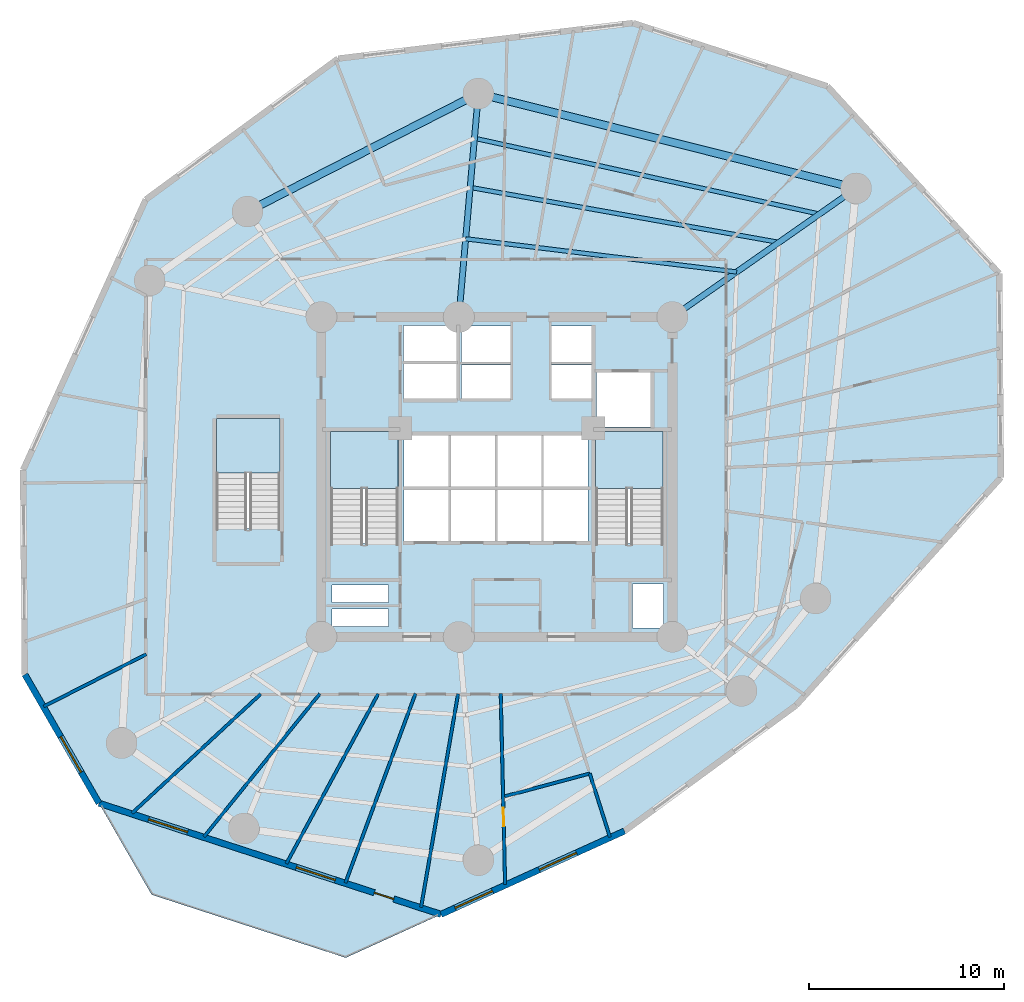
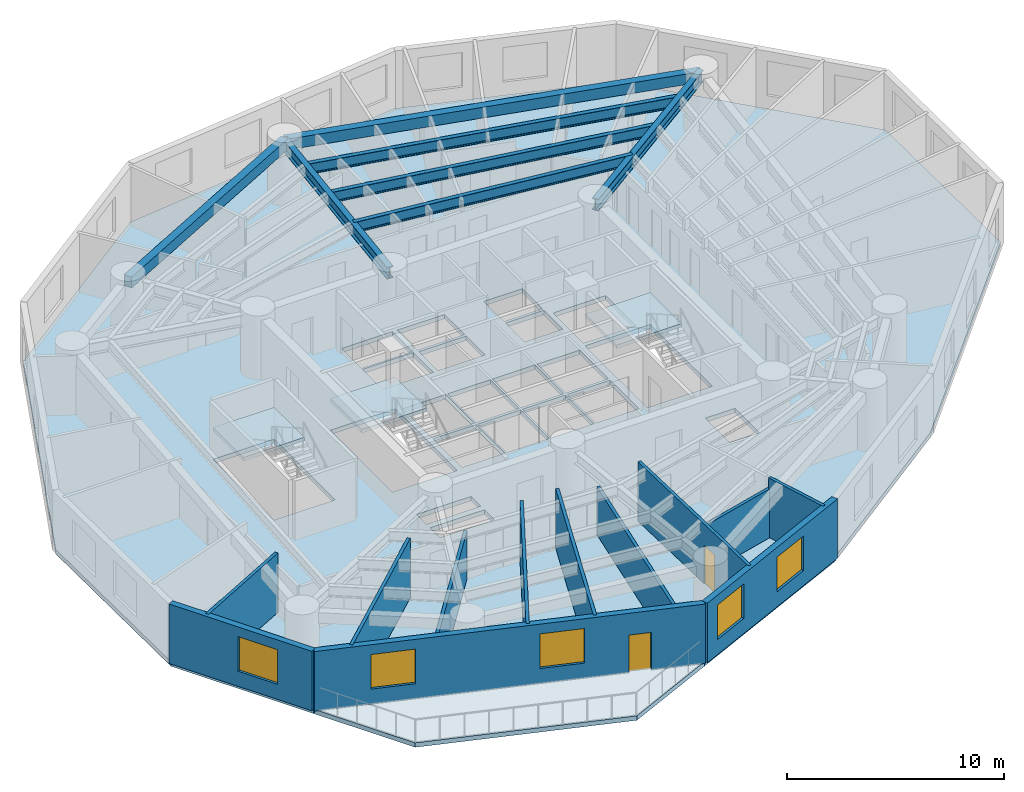
# One storey, part 2 of 9: 12 walls, 7 beams, 5 slabs, 5 windows, 2 doors, 7 openings, 3 elements without a shape of their own.
"""IFC4 building model written with IfcOpenShell, lengths in metres."""

from ifc_helpers import new_model, si_unit, direction, frame, frame_2d, origin, origin_with_axes, origin_2d, place, context, subcontext, project, spatial, polyline, rectangle, i_section, outline, extrude, source, transform, mapped, material, layer, layer_set, material_profile, profile_set, type_object, element, fill, aggregate, save


model = new_model("IFC4")

# Units and contexts
model_context = context("Model", 3, precision=1e-05, world=origin(), true_north=direction((0.0, 1.0)))
body_context = subcontext(model_context, "Body", "Model", "MODEL_VIEW")
ifc_project = project(units=[si_unit("LENGTHUNIT", "METRE"), si_unit("AREAUNIT", "SQUARE_METRE"), si_unit("VOLUMEUNIT", "CUBIC_METRE"), si_unit("PLANEANGLEUNIT", "RADIAN"), si_unit("MASSUNIT", "GRAM", prefix="KILO")], contexts=[model_context])

# Site, building, storey
site_placement = place(None, origin())
site = spatial("IfcSite", under=ifc_project, at=site_placement, CompositionType="ELEMENT")
building_placement = place(site_placement, origin())
building = spatial("IfcBuilding", under=site, at=building_placement, Name="Karkom Vertical University and Central Library", CompositionType="ELEMENT")
storey_placement = place(building_placement, frame((0.0, 0.0, 48.10009765625)))
storey = spatial("IfcBuildingStorey", under=building, at=storey_placement, Name="L12", CompositionType="ELEMENT", Elevation=48.10009765625)

# Beams
ifc_material_1 = material(Name="Steel S355", Category="steel")
ifc_material_profile_1 = material_profile(ifc_material_1, i_section(OverallWidth=0.300048828125, OverallDepth=0.64990234375, WebThickness=0.01611328125, FlangeThickness=0.031005859375, FilletRadius=0.027099609375, at=origin_2d()), Name="HE 650 B")
ifc_profile_set_1 = profile_set([ifc_material_profile_1], Name="Steel S355")
beam_type_1 = type_object("IfcBeamType", Name="STR-BM-SB-HE650", PredefinedType="USERDEFINED", material=ifc_profile_set_1)
shared_shape_1 = source(origin_with_axes(), body_context, "Body", "SweptSolid", [
    extrude(i_section(OverallWidth=0.300048828125, OverallDepth=0.64990234375, WebThickness=0.01611328125, FlangeThickness=0.031005859375, FilletRadius=0.027099609375, at=origin_2d()), origin(), (0.0, 0.0, 1.0), 11.49951171875),
])
beam_1_placement = place(storey_placement, frame((37.5, 34.699951171875, 3.02490234375), z_axis=(0.81915012564, 0.573579176457, 0.0), x_axis=(-0.573579176457, 0.81915012564, 0.0)))
element("IfcBeam", 1, at=beam_1_placement, inside=storey, type_object=beam_type_1, Name="Level 12 Radial Frame Girder 02", ObjectType="GIRDER", PredefinedType="USERDEFINED", context=body_context, shape_type="MappedRepresentation", body=[
    mapped(shared_shape_1, transform((0.0, 0.0, 0.0), scale=1.0)),
])
shared_shape_2 = source(origin_with_axes(), body_context, "Body", "SweptSolid", [
    extrude(i_section(OverallWidth=0.300048828125, OverallDepth=0.64990234375, WebThickness=0.01611328125, FlangeThickness=0.031005859375, FilletRadius=0.027099609375, at=origin_2d()), origin(), (0.0, 0.0, 1.0), 11.499755859375),
])
beam_2_placement = place(storey_placement, frame((26.550048828125, 34.699951171875, 3.02490234375), z_axis=(0.087127973109, 0.99619712723, 0.0), x_axis=(-0.99619712723, 0.087127973109, 0.0)))
element("IfcBeam", 2, at=beam_2_placement, inside=storey, type_object=beam_type_1, Name="Level 12 Radial Frame Girder 03", ObjectType="GIRDER", PredefinedType="USERDEFINED", context=body_context, shape_type="MappedRepresentation", body=[
    mapped(shared_shape_2, transform((0.0, 0.0, 0.0), scale=1.0)),
])
ifc_material_2 = material(Name="Precast concrete C45/55", Category="concrete")
ifc_material_profile_2 = material_profile(ifc_material_2, rectangle(XDim=0.39990234375, YDim=0.60009765625, at=origin_2d()), Name="SPB-400x600")
ifc_profile_set_2 = profile_set([ifc_material_profile_2], Name="Precast concrete C45/55")
beam_type_2 = type_object("IfcBeamType", Name="STR-BM-SP-1", PredefinedType="SPANDREL", material=ifc_profile_set_2)
shared_shape_3 = source(origin_with_axes(), body_context, "Body", "SweptSolid", [
    extrude(rectangle(XDim=0.39990234375, YDim=0.60009765625, at=origin_2d()), origin(), (0.0, 0.0, 1.0), 19.968505859375),
])
beam_3_placement = place(storey_placement, frame((46.919921875, 41.2958984375, 3.0498046875), z_axis=(-0.969928522391, 0.243389937039, 0.0), x_axis=(-0.243389937039, -0.969928522391, 0.0)))
element("IfcBeam", 3, at=beam_3_placement, inside=storey, type_object=beam_type_2, Name="Level 12 Perimeter Spandrel Beam 02", PredefinedType="SPANDREL", context=body_context, shape_type="MappedRepresentation", body=[
    mapped(shared_shape_3, transform((0.0, 0.0, 0.0), scale=1.0)),
])
shared_shape_4 = source(origin_with_axes(), body_context, "Body", "SweptSolid", [
    extrude(rectangle(XDim=0.39990234375, YDim=0.60009765625, at=origin_2d()), origin(), (0.0, 0.0, 1.0), 13.29443359375),
])
beam_4_placement = place(storey_placement, frame((27.552001953125, 46.156005859375, 3.0498046875), z_axis=(-0.890447746793, -0.455085497716, 0.0), x_axis=(0.455085497716, -0.890447746793, 0.0)))
element("IfcBeam", 4, at=beam_4_placement, inside=storey, type_object=beam_type_2, Name="Level 12 Perimeter Spandrel Beam 03", PredefinedType="SPANDREL", context=body_context, shape_type="MappedRepresentation", body=[
    mapped(shared_shape_4, transform((0.0, 0.0, 0.0), scale=1.0)),
])
ifc_material_profile_3 = material_profile(ifc_material_1, i_section(OverallWidth=0.219970703125, OverallDepth=0.60009765625, WebThickness=0.011962890625, FlangeThickness=0.01904296875, FilletRadius=0.02392578125, at=origin_2d()), Name="IPE 600")
ifc_profile_set_3 = profile_set([ifc_material_profile_3], Name="Steel S355")
beam_type_3 = type_object("IfcBeamType", Name="STR-BM-SB-IPE600", PredefinedType="BEAM", material=ifc_profile_set_3)
shared_shape_5 = source(origin_with_axes(), body_context, "Body", "SweptSolid", [
    extrude(i_section(OverallWidth=0.219970703125, OverallDepth=0.60009765625, WebThickness=0.011962890625, FlangeThickness=0.01904296875, FilletRadius=0.02392578125, at=origin_2d()), origin(), (0.0, 0.0, 1.0), 14.000244140625),
])
beam_5_placement = place(storey_placement, frame((40.797119140625, 37.008544921875, 3.0498046875), z_axis=(-0.992590166403, 0.121510335198, 0.0), x_axis=(-0.121510335198, -0.992590166403, 0.0)))
element("IfcBeam", 5, at=beam_5_placement, inside=storey, type_object=beam_type_3, Name="Level 12 Secondary Composite Floor Beam 1.02", PredefinedType="BEAM", context=body_context, shape_type="MappedRepresentation", body=[
    mapped(shared_shape_5, transform((0.0, 0.0, 0.0), scale=1.0)),
])
shared_shape_6 = source(origin_with_axes(), body_context, "Body", "SweptSolid", [
    extrude(i_section(OverallWidth=0.219970703125, OverallDepth=0.60009765625, WebThickness=0.011962890625, FlangeThickness=0.01904296875, FilletRadius=0.02392578125, at=origin_2d()), origin(), (0.0, 0.0, 1.0), 16.08154296875),
])
beam_6_placement = place(storey_placement, frame((42.963623046875, 38.525634765625, 3.0498046875), z_axis=(-0.984517708807, 0.175285142111, 0.0), x_axis=(-0.175285142111, -0.984517708807, 0.0)))
element("IfcBeam", 6, at=beam_6_placement, inside=storey, type_object=beam_type_3, Name="Level 12 Secondary Composite Floor Beam 2.02", PredefinedType="BEAM", context=body_context, shape_type="MappedRepresentation", body=[
    mapped(shared_shape_6, transform((0.0, 0.0, 0.0), scale=1.0)),
])
shared_shape_7 = source(origin_with_axes(), body_context, "Body", "SweptSolid", [
    extrude(i_section(OverallWidth=0.219970703125, OverallDepth=0.60009765625, WebThickness=0.011962890625, FlangeThickness=0.01904296875, FilletRadius=0.02392578125, at=origin_2d()), origin(), (0.0, 0.0, 1.0), 18.106689453125),
])
beam_7_placement = place(storey_placement, frame((45.035888671875, 39.976806640625, 3.0498046875), z_axis=(-0.976674731786, 0.214724167926, 0.0), x_axis=(-0.214724167926, -0.976674731786, 0.0)))
element("IfcBeam", 7, at=beam_7_placement, inside=storey, type_object=beam_type_3, Name="Level 12 Secondary Composite Floor Beam 3.02", PredefinedType="BEAM", context=body_context, shape_type="MappedRepresentation", body=[
    mapped(shared_shape_7, transform((0.0, 0.0, 0.0), scale=1.0)),
])

# Stair, slab
ifc_material_3 = material(Name="Concrete C45/55", Category="concrete")
stair_type_1 = type_object("IfcStairType", Name="INT-STR-ST-MAIN", PredefinedType="HALF_TURN_STAIR", material=ifc_material_3)
stair_1_placement = place(storey_placement, origin())
stair_1 = element("IfcStair", 8, at=stair_1_placement, inside=storey, type_object=stair_type_1, Name="Level 12 Tower Protected Exit Stair ST-1", PredefinedType="HALF_TURN_STAIR")
ifc_layer_1 = layer(ifc_material_3, 0.199951171875)
ifc_layer_set_1 = layer_set([ifc_layer_1], Name="Concrete C45/55")
slab_type_1 = type_object("IfcSlabType", Name="INT-SLB-LANDING", PredefinedType="LANDING", material=ifc_layer_set_1)
slab_1_placement = place(storey_placement, frame((0.0, 0.0, 1.599853515625)))
slab_1 = element("IfcSlab", 9, at=slab_1_placement, type_object=slab_type_1, Name="ST-1 landing 1", PredefinedType="LANDING", context=body_context, shape_type="SweptSolid", body=[
    extrude(outline(polyline([(23.43994140625, 25.919921875), (23.43994140625, 28.820068359375), (19.97998046875, 28.820068359375), (19.97998046875, 25.919921875), (23.43994140625, 25.919921875)])), origin(), (0.0, 0.0, 1.0), 0.199951171875),
])
aggregate(stair_1, [slab_1])

stair_2_placement = place(storey_placement, origin())
stair_2 = element("IfcStair", 10, at=stair_2_placement, inside=storey, type_object=stair_type_1, Name="Level 12 Tower Protected Exit Stair ST-2", PredefinedType="HALF_TURN_STAIR")
slab_2_placement = place(storey_placement, frame((0.0, 0.0, 1.599853515625)))
slab_2 = element("IfcSlab", 11, at=slab_2_placement, type_object=slab_type_1, Name="ST-2 landing 1", PredefinedType="LANDING", context=body_context, shape_type="SweptSolid", body=[
    extrude(outline(polyline([(37.02001953125, 25.919921875), (37.02001953125, 28.820068359375), (33.56005859375, 28.820068359375), (33.56005859375, 25.919921875), (37.02001953125, 25.919921875)])), origin(), (0.0, 0.0, 1.0), 0.199951171875),
])
aggregate(stair_2, [slab_2])

stair_type_2 = type_object("IfcStairType", Name="INT-STR-ST-SEC", PredefinedType="HALF_TURN_STAIR", material=ifc_material_3)
stair_3_placement = place(storey_placement, origin())
stair_3 = element("IfcStair", 12, at=stair_3_placement, inside=storey, type_object=stair_type_2, Name="Level 12 Academic Zone Protected Exit Stair ST-3", PredefinedType="HALF_TURN_STAIR")
slab_3_placement = place(storey_placement, frame((0.0, 0.0, 1.599853515625)))
slab_3 = element("IfcSlab", 13, at=slab_3_placement, type_object=slab_type_1, Name="ST-3 landing 1", PredefinedType="LANDING", context=body_context, shape_type="SweptSolid", body=[
    extrude(outline(polyline([(17.3798828125, 26.699951171875), (17.3798828125, 29.5), (14.1201171875, 29.5), (14.1201171875, 26.699951171875), (17.3798828125, 26.699951171875)])), origin(), (0.0, 0.0, 1.0), 0.199951171875),
])
aggregate(stair_3, [slab_3])

# Slabs
ifc_layer_2 = layer(ifc_material_3, 0.25)
ifc_layer_set_2 = layer_set([ifc_layer_2], Name="Concrete C45/55")
slab_type_2 = type_object("IfcSlabType", Name="STR-SLB-FLR-250", PredefinedType="FLOOR", material=ifc_layer_set_2)
slab_4_placement = place(storey_placement, frame((0.0, 0.0, -0.25)))
element("IfcSlab", 14, at=slab_4_placement, inside=storey, type_object=slab_type_2, Name="Level 12 Tower Structural Floor Slab", PredefinedType="FLOOR", context=body_context, shape_type="SweptSolid", body=[
    extrude(outline(polyline([(10.499267578125, 40.7177734375), (4.211669921875, 26.852783203125), (4.2998046875, 16.369384765625), (8.099609375, 9.77099609375), (25.638916015625, 4.0712890625), (35.04150390625, 8.342529296875), (43.845947265625, 14.7958984375), (54.340087890625, 26.47119140625), (54.251953125, 36.932373046875), (45.44580078125, 46.52783203125), (35.47509765625, 49.767822265625), (20.360595703125, 47.94580078125), (10.499267578125, 40.7177734375)]), holes=[polyline([(19.97998046875, 23.0849609375), (23.43994140625, 23.0849609375), (23.43994140625, 28.820068359375), (19.97998046875, 28.820068359375), (19.97998046875, 23.0849609375)]), polyline([(33.56005859375, 23.0849609375), (37.02001953125, 23.0849609375), (37.02001953125, 28.820068359375), (33.56005859375, 28.820068359375), (33.56005859375, 23.0849609375)]), polyline([(14.1201171875, 23.864990234375), (17.3798828125, 23.864990234375), (17.3798828125, 29.5), (14.1201171875, 29.5), (14.1201171875, 23.864990234375)]), polyline([(23.75, 23.199951171875), (26.030029296875, 23.199951171875), (26.030029296875, 25.85009765625), (23.75, 25.85009765625), (23.75, 23.199951171875)]), polyline([(26.1298828125, 23.199951171875), (28.409912109375, 23.199951171875), (28.409912109375, 25.85009765625), (26.1298828125, 25.85009765625), (26.1298828125, 23.199951171875)]), polyline([(28.510009765625, 23.199951171875), (30.7900390625, 23.199951171875), (30.7900390625, 25.85009765625), (28.510009765625, 25.85009765625), (28.510009765625, 23.199951171875)]), polyline([(30.889892578125, 23.199951171875), (33.169921875, 23.199951171875), (33.169921875, 25.85009765625), (30.889892578125, 25.85009765625), (30.889892578125, 23.199951171875)]), polyline([(23.75, 26.0), (26.030029296875, 26.0), (26.030029296875, 28.64990234375), (23.75, 28.64990234375), (23.75, 26.0)]), polyline([(26.1298828125, 26.0), (28.409912109375, 26.0), (28.409912109375, 28.64990234375), (26.1298828125, 28.64990234375), (26.1298828125, 26.0)]), polyline([(28.510009765625, 26.0), (30.7900390625, 26.0), (30.7900390625, 28.64990234375), (28.510009765625, 28.64990234375), (28.510009765625, 26.0)]), polyline([(30.889892578125, 26.0), (33.169921875, 26.0), (33.169921875, 28.64990234375), (30.889892578125, 28.64990234375), (30.889892578125, 26.0)]), polyline([(26.679931640625, 30.5), (29.199951171875, 30.5), (29.199951171875, 32.25), (26.679931640625, 32.25), (26.679931640625, 30.5)]), polyline([(26.679931640625, 32.39990234375), (29.199951171875, 32.39990234375), (29.199951171875, 34.25), (26.679931640625, 34.25), (26.679931640625, 32.39990234375)]), polyline([(31.300048828125, 30.5), (33.35009765625, 30.5), (33.35009765625, 32.25), (31.300048828125, 32.25), (31.300048828125, 30.5)]), polyline([(31.300048828125, 32.39990234375), (33.35009765625, 32.39990234375), (33.35009765625, 34.25), (31.300048828125, 34.25), (31.300048828125, 32.39990234375)]), polyline([(23.719970703125, 30.47998046875), (26.429931640625, 30.47998046875), (26.429931640625, 32.320068359375), (23.719970703125, 32.320068359375), (23.719970703125, 30.47998046875)]), polyline([(23.719970703125, 32.419921875), (26.429931640625, 32.419921875), (26.429931640625, 34.260009765625), (23.719970703125, 34.260009765625), (23.719970703125, 32.419921875)]), polyline([(33.60009765625, 29.050048828125), (36.39990234375, 29.050048828125), (36.39990234375, 31.85009765625), (33.60009765625, 31.85009765625), (33.60009765625, 29.050048828125)]), polyline([(20.050048828125, 18.820068359375), (22.949951171875, 18.820068359375), (22.949951171875, 19.719970703125), (20.050048828125, 19.719970703125), (20.050048828125, 18.820068359375)]), polyline([(20.050048828125, 20.06005859375), (22.949951171875, 20.06005859375), (22.949951171875, 20.9599609375), (20.050048828125, 20.9599609375), (20.050048828125, 20.06005859375)]), polyline([(35.4599609375, 18.760009765625), (37.0400390625, 18.760009765625), (37.0400390625, 21.010009765625), (35.4599609375, 21.010009765625), (35.4599609375, 18.760009765625)])]), origin(), (0.0, 0.0, 1.0), 0.25),
])
ifc_layer_3 = layer(ifc_material_3, 0.199951171875)
ifc_layer_set_3 = layer_set([ifc_layer_3], Name="Concrete C45/55")
slab_type_3 = type_object("IfcSlabType", Name="STR-SLB-PLN-260", PredefinedType="USERDEFINED", material=ifc_layer_set_3)
slab_5_placement = place(storey_placement, frame((0.0, 0.0, -0.25)))
element("IfcSlab", 15, at=slab_5_placement, inside=storey, type_object=slab_type_3, Name="Level 12 Spiral Sky Garden Planter Terrace", ObjectType="PLANTER", PredefinedType="USERDEFINED", context=body_context, shape_type="SweptSolid", body=[
    extrude(outline(polyline([(20.748779296875, 1.85009765625), (10.79931640625, 5.083251953125), (8.114501953125, 9.7451171875), (25.61181640625, 4.05908203125), (20.748779296875, 1.85009765625)])), origin(), (0.0, 0.0, 1.0), 0.25),
])

# Wall, opening, window
ifc_material_4 = material(Name="Brick-faced precast concrete C45/55", Category="masonry")
ifc_layer_4 = layer(ifc_material_4, 0.320068359375)
ifc_layer_set_4 = layer_set([ifc_layer_4], Name="Brick-faced precast concrete C45/55")
wall_type_1 = type_object("IfcWallType", Name="ENV-WL-BRK-320", PredefinedType="SOLIDWALL", material=ifc_layer_set_4)
wall_1_placement = place(storey_placement, frame((4.2998046875, 16.369384765625, 0.0), z_axis=(0.0, 0.0, 1.0), x_axis=(0.499036685569, -0.866580859733, 0.0)))
wall_1 = element("IfcWall", 16, at=wall_1_placement, inside=storey, type_object=wall_type_1, Name="Level 12 Brick-Faced Precast Facade Wall 03", PredefinedType="SOLIDWALL", context=body_context, shape_type="SweptSolid", body=[
    extrude(rectangle(XDim=7.6142578125, YDim=0.320068359375, at=frame_2d((3.80712890625, 0.0))), origin(), (0.0, 0.0, 1.0), 3.349853515625),
])
opening_1_placement = place(wall_1_placement, frame((3.68017578125, 0.0, 0.85009765625)))
opening_1 = element("IfcOpeningElement", 17, at=opening_1_placement, cuts=wall_1, Name="Opening WN-03", PredefinedType="OPENING", context=body_context, shape_type="SweptSolid", body=[
    extrude(rectangle(XDim=2.10009765625, YDim=1.949951171875, at=frame_2d((1.050048828125, 0.97509765625))), frame((0.0, 0.169921875, 0.0), z_axis=(0.0, -1.0, 0.0), x_axis=(1.0, 0.0, 0.0)), (0.0, 0.0, 1.0), 0.340087890625),
])
ifc_material_5 = material(Name="Aluminium thermal-break frame with solar-control IGU", Category="aluminium")
window_type = type_object("IfcWindowType", Name="ENV-WIN-WN-03", PartitioningType="SINGLE_PANEL", PredefinedType="WINDOW", material=ifc_material_5)
shared_shape_8 = source(origin_with_axes(), body_context, "Body", "SweptSolid", [
    extrude(rectangle(XDim=2.10009765625, YDim=1.949951171875, at=frame_2d((1.050048828125, 0.97509765625))), frame((0.0, 0.030029296875, 0.0), z_axis=(0.0, -1.0, 0.0), x_axis=(1.0, 0.0, 0.0)), (0.0, 0.0, 1.0), 0.06005859375),
])
window_1_placement = place(opening_1_placement, origin())
window_1 = element("IfcWindow", 18, at=window_1_placement, inside=storey, type_object=window_type, Name="Level 12 Punched Window 3.1", OverallHeight=1.949951171875, OverallWidth=2.10009765625, PartitioningType="SINGLE_PANEL", PredefinedType="WINDOW", context=body_context, shape_type="MappedRepresentation", body=[
    mapped(shared_shape_8, transform((0.0, 0.0, 0.0), scale=1.0)),
])
fill(opening_1, window_1)

# Wall, openings, door, windows
wall_2_placement = place(storey_placement, frame((8.099609375, 9.77099609375, 0.0), z_axis=(0.0, 0.0, 1.0), x_axis=(0.951043115776, -0.30905823389, 0.0)))
wall_2 = element("IfcWall", 19, at=wall_2_placement, inside=storey, type_object=wall_type_1, Name="Level 12 Brick-Faced Precast Facade Wall 04", PredefinedType="SOLIDWALL", context=body_context, shape_type="SweptSolid", body=[
    extrude(rectangle(XDim=18.442138671875, YDim=0.320068359375, at=frame_2d((9.22119140625, 0.0))), origin(), (0.0, 0.0, 1.0), 3.349853515625),
])
opening_2_placement = place(wall_2_placement, frame((2.6748046875, 0.0, 0.85009765625)))
opening_2 = element("IfcOpeningElement", 20, at=opening_2_placement, cuts=wall_2, Name="Opening WN-03", PredefinedType="OPENING", context=body_context, shape_type="SweptSolid", body=[
    extrude(rectangle(XDim=2.10009765625, YDim=1.949951171875, at=frame_2d((1.050048828125, 0.97509765625))), frame((0.0, 0.169921875, 0.0), z_axis=(0.0, -1.0, 0.0), x_axis=(1.0, 0.0, 0.0)), (0.0, 0.0, 1.0), 0.340087890625),
])
opening_3_placement = place(wall_2_placement, frame((10.640380859375, 0.0, 0.85009765625)))
opening_3 = element("IfcOpeningElement", 21, at=opening_3_placement, cuts=wall_2, Name="Opening WN-03", PredefinedType="OPENING", context=body_context, shape_type="SweptSolid", body=[
    extrude(rectangle(XDim=2.10009765625, YDim=1.949951171875, at=frame_2d((1.050048828125, 0.97509765625))), frame((0.0, 0.169921875, 0.0), z_axis=(0.0, -1.0, 0.0), x_axis=(1.0, 0.0, 0.0)), (0.0, 0.0, 1.0), 0.340087890625),
])
opening_4_placement = place(wall_2_placement, frame((14.84326171875, 0.0, 0.0)))
opening_4 = element("IfcOpeningElement", 22, at=opening_4_placement, cuts=wall_2, Name="Opening TD-1", PredefinedType="OPENING", context=body_context, shape_type="SweptSolid", body=[
    extrude(rectangle(XDim=1.050048828125, YDim=2.1201171875, at=frame_2d((0.52490234375, 1.06005859375))), frame((0.0, 0.169921875, 0.0), z_axis=(0.0, -1.0, 0.0), x_axis=(1.0, 0.0, 0.0)), (0.0, 0.0, 1.0), 0.340087890625),
])
ifc_material_6 = material(Name="Thermally broken glazed aluminium terrace door", Category="aluminium")
door_type_1 = type_object("IfcDoorType", Name="ENV-DR-TERR", OperationType="NOTDEFINED", PredefinedType="DOOR", material=ifc_material_6)
shared_shape_9 = source(origin_with_axes(), body_context, "Body", "SweptSolid", [
    extrude(rectangle(XDim=1.050048828125, YDim=2.1201171875, at=frame_2d((0.52490234375, 1.06005859375))), frame((0.0, 0.02490234375, 0.0), z_axis=(0.0, -1.0, 0.0), x_axis=(1.0, 0.0, 0.0)), (0.0, 0.0, 1.0), 0.050048828125),
])
door_1_placement = place(opening_4_placement, origin())
door_1 = element("IfcDoor", 23, at=door_1_placement, inside=storey, type_object=door_type_1, Name="Level 12 Outdoor Terrace Access Door", OperationType="SINGLE_SWING_LEFT", OverallHeight=2.1201171875, OverallWidth=1.050048828125, PredefinedType="DOOR", context=body_context, shape_type="MappedRepresentation", body=[
    mapped(shared_shape_9, transform((0.0, 0.0, 0.0), scale=1.0)),
])
fill(opening_4, door_1)
window_2_placement = place(opening_2_placement, origin())
window_2 = element("IfcWindow", 24, at=window_2_placement, inside=storey, type_object=window_type, Name="Level 12 Punched Window 4.1", OverallHeight=1.949951171875, OverallWidth=2.10009765625, PartitioningType="SINGLE_PANEL", PredefinedType="WINDOW", context=body_context, shape_type="MappedRepresentation", body=[
    mapped(shared_shape_8, transform((0.0, 0.0, 0.0), scale=1.0)),
])
fill(opening_2, window_2)
window_3_placement = place(opening_3_placement, origin())
window_3 = element("IfcWindow", 25, at=window_3_placement, inside=storey, type_object=window_type, Name="Level 12 Punched Window 4.2", OverallHeight=1.949951171875, OverallWidth=2.10009765625, PartitioningType="SINGLE_PANEL", PredefinedType="WINDOW", context=body_context, shape_type="MappedRepresentation", body=[
    mapped(shared_shape_8, transform((0.0, 0.0, 0.0), scale=1.0)),
])
fill(opening_3, window_3)

# Wall, openings, windows
wall_3_placement = place(storey_placement, frame((25.638916015625, 4.0712890625, 0.0), z_axis=(0.0, 0.0, 1.0), x_axis=(0.910463604795, 0.413589197567, 0.0)))
wall_3 = element("IfcWall", 26, at=wall_3_placement, inside=storey, type_object=wall_type_1, Name="Level 12 Brick-Faced Precast Facade Wall 05", PredefinedType="SOLIDWALL", context=body_context, shape_type="SweptSolid", body=[
    extrude(rectangle(XDim=10.3271484375, YDim=0.320068359375, at=frame_2d((5.16357421875, 0.0))), origin(), (0.0, 0.0, 1.0), 3.349853515625),
])
opening_5_placement = place(wall_3_placement, frame((0.797119140625, 0.0, 0.85009765625)))
opening_5 = element("IfcOpeningElement", 27, at=opening_5_placement, cuts=wall_3, Name="Opening WN-03", PredefinedType="OPENING", context=body_context, shape_type="SweptSolid", body=[
    extrude(rectangle(XDim=2.10009765625, YDim=1.949951171875, at=frame_2d((1.050048828125, 0.97509765625))), frame((0.0, 0.169921875, 0.0), z_axis=(0.0, -1.0, 0.0), x_axis=(1.0, 0.0, 0.0)), (0.0, 0.0, 1.0), 0.340087890625),
])
opening_6_placement = place(wall_3_placement, frame((5.530517578125, 0.0, 0.85009765625)))
opening_6 = element("IfcOpeningElement", 28, at=opening_6_placement, cuts=wall_3, Name="Opening WN-03", PredefinedType="OPENING", context=body_context, shape_type="SweptSolid", body=[
    extrude(rectangle(XDim=2.10009765625, YDim=1.949951171875, at=frame_2d((1.050048828125, 0.97509765625))), frame((0.0, 0.169921875, 0.0), z_axis=(0.0, -1.0, 0.0), x_axis=(1.0, 0.0, 0.0)), (0.0, 0.0, 1.0), 0.340087890625),
])
window_4_placement = place(opening_5_placement, origin())
window_4 = element("IfcWindow", 29, at=window_4_placement, inside=storey, type_object=window_type, Name="Level 12 Punched Window 5.1", OverallHeight=1.949951171875, OverallWidth=2.10009765625, PartitioningType="SINGLE_PANEL", PredefinedType="WINDOW", context=body_context, shape_type="MappedRepresentation", body=[
    mapped(shared_shape_8, transform((0.0, 0.0, 0.0), scale=1.0)),
])
fill(opening_5, window_4)
window_5_placement = place(opening_6_placement, origin())
window_5 = element("IfcWindow", 30, at=window_5_placement, inside=storey, type_object=window_type, Name="Level 12 Punched Window 5.2", OverallHeight=1.949951171875, OverallWidth=2.10009765625, PartitioningType="SINGLE_PANEL", PredefinedType="WINDOW", context=body_context, shape_type="MappedRepresentation", body=[
    mapped(shared_shape_8, transform((0.0, 0.0, 0.0), scale=1.0)),
])
fill(opening_6, window_5)

# Walls
ifc_material_7 = material(Name="Insulated metal-stud drywall 160mm", Category="gypsum")
ifc_layer_5 = layer(ifc_material_7, 0.159912109375)
ifc_layer_set_5 = layer_set([ifc_layer_5], Name="Insulated metal-stud drywall 160mm")
wall_type_2 = type_object("IfcWallType", Name="INT-WL-COR-160", PredefinedType="PARTITIONING", material=ifc_layer_set_5)
wall_4_placement = place(storey_placement, frame((26.511474609375, 15.379638671875, 0.0), z_axis=(0.0, 0.0, 1.0), x_axis=(-0.170808907671, -0.985304174892, 0.0)))
element("IfcWall", 31, at=wall_4_placement, inside=storey, type_object=wall_type_2, Name="Level 12 Interior Partition Wall L12-PW-008", PredefinedType="PARTITIONING", context=body_context, shape_type="SweptSolid", body=[
    extrude(rectangle(XDim=11.111572265625, YDim=0.159912109375, at=frame_2d((5.5556640625, 0.0))), origin(), (0.0, 0.0, 1.0), 2.699951171875),
])
wall_5_placement = place(storey_placement, frame((24.325439453125, 15.39208984375, 0.0), z_axis=(0.0, 0.0, 1.0), x_axis=(-0.347043758282, -0.937848937643, 0.0)))
element("IfcWall", 32, at=wall_5_placement, inside=storey, type_object=wall_type_2, Name="Level 12 Interior Partition Wall L12-PW-007", PredefinedType="PARTITIONING", context=body_context, shape_type="SweptSolid", body=[
    extrude(rectangle(XDim=10.343994140625, YDim=0.159912109375, at=frame_2d((5.171875, 0.0))), origin(), (0.0, 0.0, 1.0), 3.349853515625),
])
wall_6_placement = place(storey_placement, frame((22.4150390625, 15.37646484375, 0.0), z_axis=(0.0, 0.0, 1.0), x_axis=(-0.475769444139, -0.879570029062, 0.0)))
element("IfcWall", 33, at=wall_6_placement, inside=storey, type_object=wall_type_2, Name="Level 12 Interior Partition Wall L12-PW-006", PredefinedType="PARTITIONING", context=body_context, shape_type="SweptSolid", body=[
    extrude(rectangle(XDim=9.89208984375, YDim=0.159912109375, at=frame_2d((4.946044921875, 0.0))), origin(), (0.0, 0.0, 1.0), 3.349853515625),
])

# Wall, opening, door
wall_7_placement = place(storey_placement, frame((28.696533203125, 15.39501953125, 0.0), z_axis=(0.0, 0.0, 1.0), x_axis=(0.023090314087, -0.999733383155, 0.0)))
wall_7 = element("IfcWall", 34, at=wall_7_placement, inside=storey, type_object=wall_type_2, Name="Level 12 Interior Partition Wall L12-PW-009", PredefinedType="PARTITIONING", context=body_context, shape_type="SweptSolid", body=[
    extrude(rectangle(XDim=9.801513671875, YDim=0.159912109375, at=frame_2d((4.90087890625, 0.0))), origin(), (0.0, 0.0, 1.0), 3.349853515625),
])
opening_7_placement = place(wall_7_placement, frame((5.86328125, 0.0, 0.0)))
opening_7 = element("IfcOpeningElement", 35, at=opening_7_placement, cuts=wall_7, Name="Opening D-RM1", PredefinedType="OPENING", context=body_context, shape_type="SweptSolid", body=[
    extrude(rectangle(XDim=0.949951171875, YDim=2.14990234375, at=frame_2d((0.47509765625, 1.074951171875))), frame((0.0, 0.08984375, 0.0), z_axis=(0.0, -1.0, 0.0), x_axis=(1.0, 0.0, 0.0)), (0.0, 0.0, 1.0), 0.179931640625),
])
ifc_material_8 = material(Name="Solid-core oak veneer door", Category="wood")
door_type_2 = type_object("IfcDoorType", Name="INT-DR-RM1", OperationType="NOTDEFINED", PredefinedType="DOOR", material=ifc_material_8)
shared_shape_10 = source(origin_with_axes(), body_context, "Body", "SweptSolid", [
    extrude(rectangle(XDim=0.949951171875, YDim=2.14990234375, at=frame_2d((0.47509765625, 1.074951171875))), frame((0.0, 0.02490234375, 0.0), z_axis=(0.0, -1.0, 0.0), x_axis=(1.0, 0.0, 0.0)), (0.0, 0.0, 1.0), 0.050048828125),
])
door_2_placement = place(opening_7_placement, origin())
door_2 = element("IfcDoor", 36, at=door_2_placement, inside=storey, type_object=door_type_2, Name="Level 12 Room Entry Door 080", OperationType="SINGLE_SWING_RIGHT", OverallHeight=2.14990234375, OverallWidth=0.949951171875, PredefinedType="DOOR", context=body_context, shape_type="MappedRepresentation", body=[
    mapped(shared_shape_10, transform((0.0, 0.0, 0.0), scale=1.0)),
])
fill(opening_7, door_2)

# Walls
wall_8_placement = place(storey_placement, frame((19.423095703125, 15.385009765625, 0.0), z_axis=(0.0, 0.0, 1.0), x_axis=(-0.629284562833, -0.777174973208, 0.0)))
element("IfcWall", 37, at=wall_8_placement, inside=storey, type_object=wall_type_2, Name="Level 12 Interior Partition Wall L12-PW-005", PredefinedType="PARTITIONING", context=body_context, shape_type="SweptSolid", body=[
    extrude(rectangle(XDim=9.43603515625, YDim=0.159912109375, at=frame_2d((4.718017578125, 0.0))), origin(), (0.0, 0.0, 1.0), 2.699951171875),
])
wall_9_placement = place(storey_placement, frame((16.392822265625, 15.370361328125, 0.0), z_axis=(0.0, 0.0, 1.0), x_axis=(-0.733730115862, -0.679441032818, 0.0)))
element("IfcWall", 38, at=wall_9_placement, inside=storey, type_object=wall_type_2, Name="Level 12 Interior Partition Wall L12-PW-004", PredefinedType="PARTITIONING", context=body_context, shape_type="SweptSolid", body=[
    extrude(rectangle(XDim=8.99853515625, YDim=0.159912109375, at=frame_2d((4.499267578125, 0.0))), origin(), (0.0, 0.0, 1.0), 3.349853515625),
])
wall_10_placement = place(storey_placement, frame((10.526611328125, 17.409423828125, 0.0), z_axis=(0.0, 0.0, 1.0), x_axis=(-0.89100695579, -0.453989652673, 0.0)))
element("IfcWall", 39, at=wall_10_placement, inside=storey, type_object=wall_type_2, Name="Level 12 Interior Partition Wall L12-PW-003", PredefinedType="PARTITIONING", context=body_context, shape_type="SweptSolid", body=[
    extrude(rectangle(XDim=5.897705078125, YDim=0.159912109375, at=frame_2d((2.94873046875, 0.0))), origin(), (0.0, 0.0, 1.0), 3.349853515625),
])
wall_11_placement = place(storey_placement, frame((28.905029296875, 10.125732421875, 0.0), z_axis=(0.0, 0.0, 1.0), x_axis=(0.965928004667, 0.258810915149, 0.0)))
element("IfcWall", 40, at=wall_11_placement, inside=storey, type_object=wall_type_2, Name="Level 12 Interior Partition Wall L12-PW-010", PredefinedType="PARTITIONING", context=body_context, shape_type="SweptSolid", body=[
    extrude(rectangle(XDim=4.511962890625, YDim=0.159912109375, at=frame_2d((2.255859375, 0.0))), origin(), (0.0, 0.0, 1.0), 2.75),
])
wall_12_placement = place(storey_placement, frame((33.26318359375, 11.29345703125, 0.0), z_axis=(0.0, 0.0, 1.0), x_axis=(0.302449465178, -0.953165421642, 0.0)))
element("IfcWall", 41, at=wall_12_placement, inside=storey, type_object=wall_type_2, Name="Level 12 Interior Partition Wall L12-PW-011", PredefinedType="PARTITIONING", context=body_context, shape_type="SweptSolid", body=[
    extrude(rectangle(XDim=3.4208984375, YDim=0.159912109375, at=frame_2d((1.71044921875, 0.0))), origin(), (0.0, 0.0, 1.0), 3.349853515625),
])

save(model, "model.ifc")
